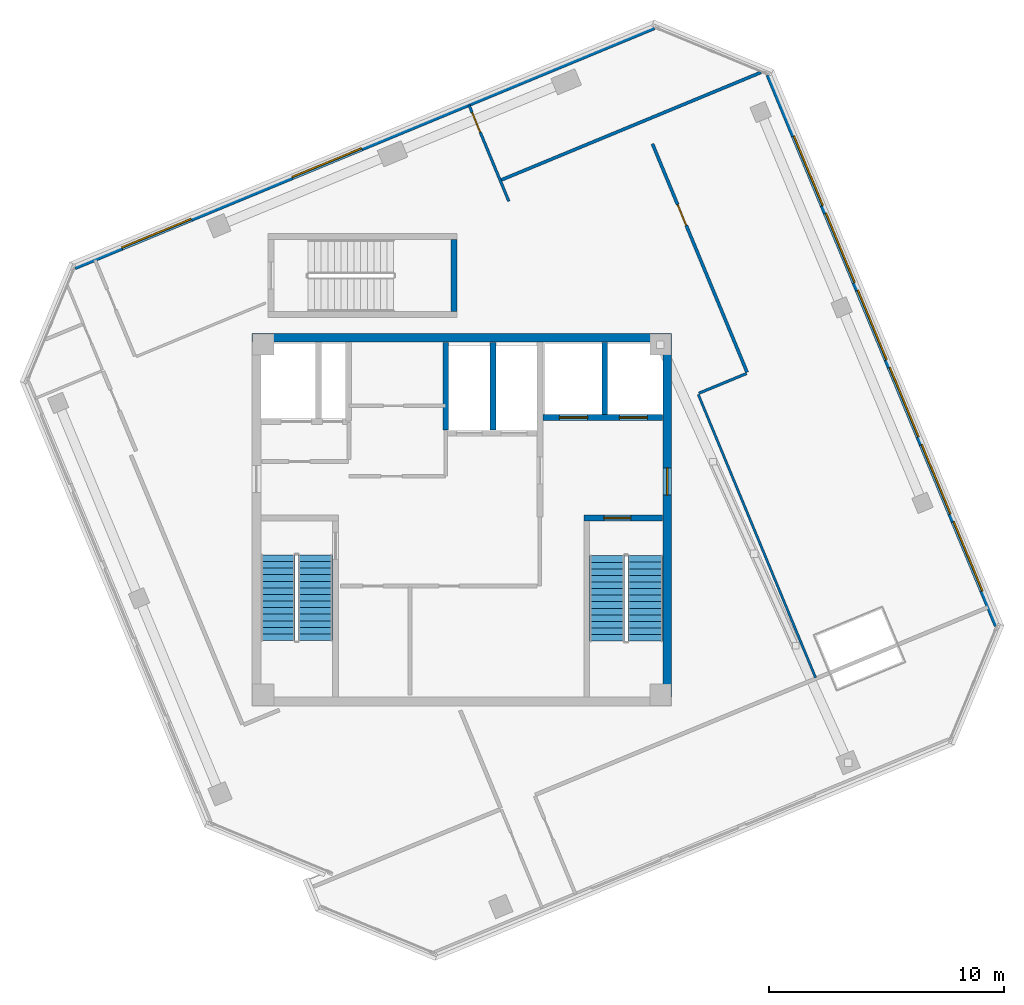
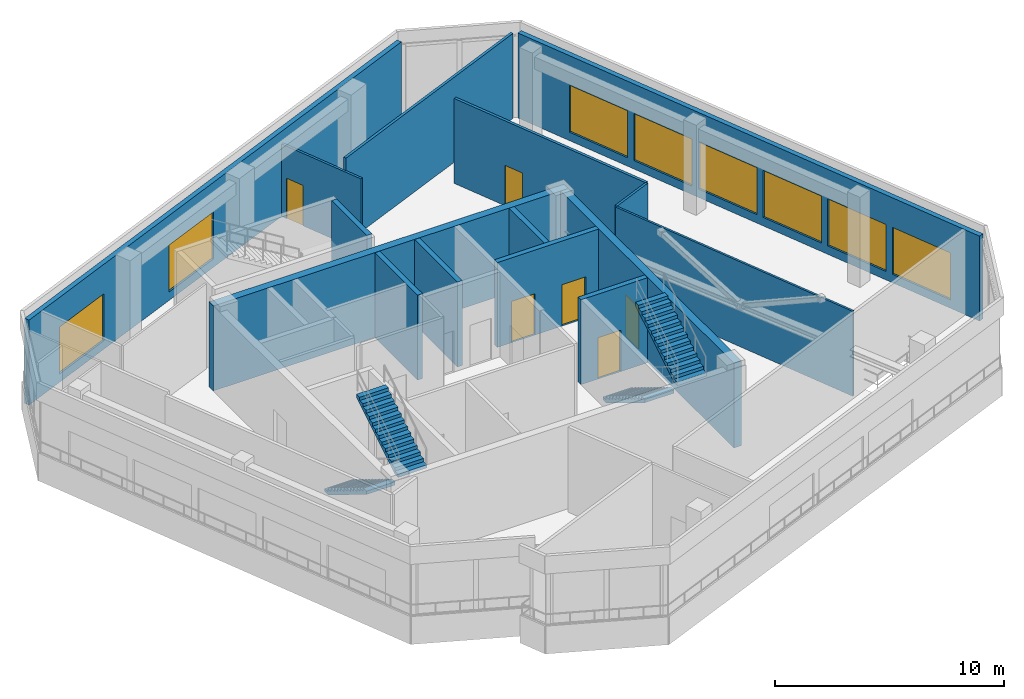
# One storey, part 10 of 17: 15 walls, 8 windows, 6 doors, 4 stair flights, 14 openings, 2 elements without a shape of their own.
"""IFC4 building model written with IfcOpenShell, lengths in metres."""

from ifc_helpers import new_model, si_unit, direction, frame, frame_2d, origin, place, context, subcontext, project, spatial, polyline, rectangle, outline, extrude, source, transform, mapped, material, layer, layer_set, type_object, element, fill, aggregate, save


model = new_model("IFC4")

# Units and contexts
model_context = context("Model", 3, precision=1e-05, world=origin(), true_north=direction((0.0, 1.0)))
body_context = subcontext(model_context, "Body", "Model", "MODEL_VIEW")
ifc_project = project(units=[si_unit("LENGTHUNIT", "METRE"), si_unit("AREAUNIT", "SQUARE_METRE"), si_unit("VOLUMEUNIT", "CUBIC_METRE"), si_unit("PLANEANGLEUNIT", "RADIAN"), si_unit("MASSUNIT", "GRAM", prefix="KILO")], contexts=[model_context])

# Site, building, storey
site_placement = place(None, origin())
site = spatial("IfcSite", under=ifc_project, at=site_placement, CompositionType="ELEMENT")
building_placement = place(site_placement, origin())
building = spatial("IfcBuilding", under=site, at=building_placement, Name="Torre Montelarca", CompositionType="ELEMENT")
storey_placement = place(building_placement, frame((0.0, 0.0, 355.199951171875)))
storey = spatial("IfcBuildingStorey", under=building, at=storey_placement, Name="L80", CompositionType="ELEMENT", Elevation=355.199951171875)

# Wall, opening, door
ifc_material_1 = material(Name="Concrete C40/50", Category="concrete")
ifc_layer_1 = layer(ifc_material_1, 0.25, Name="Concrete C40/50", Category="concrete")
ifc_layer_set_1 = layer_set([ifc_layer_1], Name="Concrete C40/50")
wall_type_1 = type_object("IfcWallType", Name="CW-SHAFT-250", PredefinedType="SHEAR", material=ifc_layer_set_1)
wall_1_placement = place(storey_placement, frame((23.18994140625, 32.074951171875, 0.0), z_axis=(0.0, 0.0, 1.0), x_axis=(1.0, 0.0, 0.0)))
wall_1 = element("IfcWall", 1, at=wall_1_placement, inside=storey, type_object=wall_type_1, Name="L80 Core Shear Wall SH-ST2-N", PredefinedType="SHEAR", context=body_context, shape_type="SweptSolid", body=[
    extrude(rectangle(XDim=3.35009765625, YDim=0.25, at=frame_2d((1.675048828125, 0.0))), origin(), (0.0, 0.0, 1.0), 4.52001953125),
])
opening_1_placement = place(wall_1_placement, frame((0.85009765625, 0.0, 0.0)))
opening_1 = element("IfcOpeningElement", 2, at=opening_1_placement, cuts=wall_1, Name="Opening FD-ST1", PredefinedType="OPENING", context=body_context, shape_type="SweptSolid", body=[
    extrude(rectangle(XDim=1.14990234375, YDim=2.199951171875, at=frame_2d((0.574951171875, 1.10009765625))), frame((0.0, 0.135009765625, 0.0), z_axis=(0.0, -1.0, 0.0), x_axis=(1.0, 0.0, 0.0)), (0.0, 0.0, 1.0), 0.27001953125),
])
ifc_material_2 = material(Name="Galvanized steel fire door", Category="steel")
door_type_1 = type_object("IfcDoorType", Name="DR-STAIR-115", OperationType="NOTDEFINED", PredefinedType="DOOR", material=ifc_material_2)
shared_shape_1 = source(origin(), body_context, "Body", "SweptSolid", [
    extrude(rectangle(XDim=1.14990234375, YDim=2.199951171875, at=frame_2d((0.574951171875, 1.10009765625))), frame((0.0, 0.02490234375, 0.0), z_axis=(0.0, -1.0, 0.0), x_axis=(1.0, 0.0, 0.0)), (0.0, 0.0, 1.0), 0.050048828125),
])
door_1_placement = place(opening_1_placement, origin())
door_1 = element("IfcDoor", 3, at=door_1_placement, inside=storey, type_object=door_type_1, Name="L80 Exit Stair ST2 Fire Door", OperationType="SINGLE_SWING_RIGHT", OverallHeight=2.199951171875, OverallWidth=1.14990234375, PredefinedType="DOOR", context=body_context, shape_type="MappedRepresentation", body=[
    mapped(shared_shape_1, transform((0.0, 0.0, 0.0), scale=1.0)),
])
fill(opening_1, door_1)

# Wall, openings, doors
wall_2_placement = place(storey_placement, frame((21.449951171875, 36.35009765625, 0.0), z_axis=(0.0, 0.0, 1.0), x_axis=(1.0, 0.0, 0.0)))
wall_2 = element("IfcWall", 4, at=wall_2_placement, inside=storey, type_object=wall_type_1, Name="L80 Core Shear Wall SH-FF-S", PredefinedType="SHEAR", context=body_context, shape_type="SweptSolid", body=[
    extrude(rectangle(XDim=5.090087890625, YDim=0.25, at=frame_2d((2.544921875, 0.0))), origin(), (0.0, 0.0, 1.0), 4.52001953125),
])
opening_2_placement = place(wall_2_placement, frame((0.699951171875, 0.0, 0.0)))
opening_2 = element("IfcOpeningElement", 5, at=opening_2_placement, cuts=wall_2, Name="Opening LD-120", PredefinedType="OPENING", context=body_context, shape_type="SweptSolid", body=[
    extrude(rectangle(XDim=1.199951171875, YDim=2.199951171875, at=frame_2d((0.60009765625, 1.10009765625))), frame((0.0, 0.135009765625, 0.0), z_axis=(0.0, -1.0, 0.0), x_axis=(1.0, 0.0, 0.0)), (0.0, 0.0, 1.0), 0.27001953125),
])
opening_3_placement = place(wall_2_placement, frame((3.25, 0.0, 0.0)))
opening_3 = element("IfcOpeningElement", 6, at=opening_3_placement, cuts=wall_2, Name="Opening LD-120", PredefinedType="OPENING", context=body_context, shape_type="SweptSolid", body=[
    extrude(rectangle(XDim=1.199951171875, YDim=2.199951171875, at=frame_2d((0.60009765625, 1.10009765625))), frame((0.0, 0.135009765625, 0.0), z_axis=(0.0, -1.0, 0.0), x_axis=(1.0, 0.0, 0.0)), (0.0, 0.0, 1.0), 0.27001953125),
])
ifc_material_3 = material(Name="Brushed stainless steel AISI 316", Category="steel")
door_type_2 = type_object("IfcDoorType", Name="DR-LIFT-120", OperationType="SLIDING_TO_RIGHT", PredefinedType="DOOR", material=ifc_material_3)
shared_shape_2 = source(origin(), body_context, "Body", "SweptSolid", [
    extrude(rectangle(XDim=1.199951171875, YDim=2.199951171875, at=frame_2d((0.60009765625, 1.10009765625))), frame((0.0, 0.02490234375, 0.0), z_axis=(0.0, -1.0, 0.0), x_axis=(1.0, 0.0, 0.0)), (0.0, 0.0, 1.0), 0.050048828125),
])
door_2_placement = place(opening_2_placement, origin())
door_2 = element("IfcDoor", 7, at=door_2_placement, inside=storey, type_object=door_type_2, Name="L80 Lift Landing Sliding Door FF-1", OperationType="SLIDING_TO_LEFT", OverallHeight=2.199951171875, OverallWidth=1.199951171875, PredefinedType="DOOR", context=body_context, shape_type="MappedRepresentation", body=[
    mapped(shared_shape_2, transform((0.0, 0.0, 0.0), scale=1.0)),
])
fill(opening_2, door_2)
door_3_placement = place(opening_3_placement, origin())
door_3 = element("IfcDoor", 8, at=door_3_placement, inside=storey, type_object=door_type_2, Name="L80 Lift Landing Sliding Door FF-2", OperationType="SLIDING_TO_RIGHT", OverallHeight=2.199951171875, OverallWidth=1.199951171875, PredefinedType="DOOR", context=body_context, shape_type="MappedRepresentation", body=[
    mapped(shared_shape_2, transform((0.0, 0.0, 0.0), scale=1.0)),
])
fill(opening_3, door_3)

# Walls
wall_3_placement = place(storey_placement, frame((24.080078125, 36.47998046875, 0.0), z_axis=(0.0, 0.0, 1.0), x_axis=(0.0, 1.0, 0.0)))
element("IfcWall", 9, at=wall_3_placement, inside=storey, type_object=wall_type_1, Name="L80 Core Shear Wall SH-FF-M", PredefinedType="SHEAR", context=body_context, shape_type="SweptSolid", body=[
    extrude(rectangle(XDim=3.06005859375, YDim=0.25, at=frame_2d((1.530029296875, 0.0))), origin(), (0.0, 0.0, 1.0), 4.52001953125),
])
for number, where, z_axis, x_axis, name in (
    (10, (17.320068359375, 35.81005859375, 0.0), (0.0, 0.0, 1.0), (0.0, 1.0, 0.0), "L80 Core Shear Wall SH-PLH-W"),
    (11, (19.320068359375, 35.81005859375, 0.0), (0.0, 0.0, 1.0), (0.0, 1.0, 0.0), "L80 Core Shear Wall SH-PLH-M"),
):
    element("IfcWall", number, at=place(storey_placement, frame(where, z_axis=z_axis, x_axis=x_axis)), inside=storey, type_object=wall_type_1, Name=name, PredefinedType="SHEAR", context=body_context, shape_type="SweptSolid", body=[
        extrude(rectangle(XDim=3.72998046875, YDim=0.25, at=frame_2d((1.864990234375, 0.0))), origin(), (0.0, 0.0, 1.0), 4.52001953125),
    ])
wall_4_placement = place(storey_placement, frame((17.675048828125, 40.85009765625, 0.0), z_axis=(0.0, 0.0, 1.0), x_axis=(0.0, 1.0, 0.0)))
element("IfcWall", 12, at=wall_4_placement, inside=storey, type_object=wall_type_1, Name="L80 Core Shear Wall SH-ST5-E", PredefinedType="SHEAR", context=body_context, shape_type="SweptSolid", body=[
    extrude(rectangle(XDim=3.06982421875, YDim=0.25, at=frame_2d((1.534912109375, 0.0))), origin(), (0.0, 0.0, 1.0), 4.52001953125),
])

# Wall, opening, door
ifc_layer_2 = layer(ifc_material_1, 0.3798828125, Name="Concrete C40/50", Category="concrete")
ifc_layer_set_2 = layer_set([ifc_layer_2], Name="Concrete C40/50")
wall_type_2 = type_object("IfcWallType", Name="CW-SHEAR-380", PredefinedType="SHEAR", material=ifc_layer_set_2)
wall_5_placement = place(storey_placement, frame((26.739990234375, 24.449951171875, 0.0), z_axis=(0.0, 0.0, 1.0), x_axis=(0.0, 1.0, 0.0)))
wall_5 = element("IfcWall", 13, at=wall_5_placement, inside=storey, type_object=wall_type_2, Name="L80 Core Shear Wall CW-E", PredefinedType="SHEAR", context=body_context, shape_type="SweptSolid", body=[
    extrude(rectangle(XDim=15.10009765625, YDim=0.3798828125, at=frame_2d((7.550048828125, 0.0))), origin(), (0.0, 0.0, 1.0), 4.52001953125),
])
opening_4_placement = place(wall_5_placement, frame((8.60009765625, 0.0, 0.0)))
opening_4 = element("IfcOpeningElement", 14, at=opening_4_placement, cuts=wall_5, Name="Opening FD-LB1", PredefinedType="OPENING", context=body_context, shape_type="SweptSolid", body=[
    extrude(rectangle(XDim=1.14990234375, YDim=2.199951171875, at=frame_2d((0.574951171875, 1.10009765625))), frame((0.0, 0.199951171875, 0.0), z_axis=(0.0, -1.0, 0.0), x_axis=(1.0, 0.0, 0.0)), (0.0, 0.0, 1.0), 0.39990234375),
])
ifc_material_4 = material(Name="Acoustic timber-veneered fire door", Category="wood")
door_type_3 = type_object("IfcDoorType", Name="DR-LOBBY-115", OperationType="NOTDEFINED", PredefinedType="DOOR", material=ifc_material_4)
shared_shape_3 = source(origin(), body_context, "Body", "SweptSolid", [
    extrude(rectangle(XDim=1.14990234375, YDim=2.199951171875, at=frame_2d((0.574951171875, 1.10009765625))), frame((0.0, 0.02490234375, 0.0), z_axis=(0.0, -1.0, 0.0), x_axis=(1.0, 0.0, 0.0)), (0.0, 0.0, 1.0), 0.050048828125),
])
door_4_placement = place(opening_4_placement, origin())
door_4 = element("IfcDoor", 15, at=door_4_placement, inside=storey, type_object=door_type_3, Name="L80 Firefighting Lift Lobby Corridor Fire Door", OperationType="SINGLE_SWING_RIGHT", OverallHeight=2.199951171875, OverallWidth=1.14990234375, PredefinedType="DOOR", context=body_context, shape_type="MappedRepresentation", body=[
    mapped(shared_shape_3, transform((0.0, 0.0, 0.0), scale=1.0)),
])
fill(opening_4, door_4)

# Wall
wall_6_placement = place(storey_placement, frame((9.070068359375, 39.739990234375, 0.0), z_axis=(0.0, 0.0, 1.0), x_axis=(1.0, 0.0, 0.0)))
element("IfcWall", 16, at=wall_6_placement, inside=storey, type_object=wall_type_2, Name="L80 Core Shear Wall CW-N1", PredefinedType="SHEAR", context=body_context, shape_type="SweptSolid", body=[
    extrude(rectangle(XDim=17.85986328125, YDim=0.3798828125, at=frame_2d((8.929931640625, 0.0))), origin(), (0.0, 0.0, 1.0), 4.52001953125),
])

# Wall, openings, windows
ifc_material_5 = material(Name="Architectural perforated terracotta ceramic", Category="masonry")
ifc_layer_3 = layer(ifc_material_5, 0.239990234375, Name="Architectural perforated terracotta ceramic", Category="masonry")
ifc_layer_set_3 = layer_set([ifc_layer_3], Name="Architectural perforated terracotta ceramic")
wall_type_3 = type_object("IfcWallType", Name="EW-CROWN-240", PredefinedType="SOLIDWALL", material=ifc_layer_set_3)
wall_7_placement = place(storey_placement, frame((40.7607421875, 27.49365234375, 0.0), z_axis=(0.0, 0.0, 1.0), x_axis=(-0.382690925775, 0.923876428604, 0.0)))
wall_7 = element("IfcWall", 17, at=wall_7_placement, inside=storey, type_object=wall_type_3, Name="L80 Illuminated Damper Gallery Lantern Wall E08", PredefinedType="SOLIDWALL", context=body_context, shape_type="SweptSolid", body=[
    extrude(rectangle(XDim=25.368408203125, YDim=0.239990234375, at=frame_2d((12.68408203125, 0.0))), origin(), (0.0, 0.0, 1.0), 4.52001953125),
])
opening_5_placement = place(wall_7_placement, frame((1.593994140625, 0.0, 0.449951171875)))
opening_5 = element("IfcOpeningElement", 18, at=opening_5_placement, cuts=wall_7, Name="Opening W-07", PredefinedType="OPENING", context=body_context, shape_type="SweptSolid", body=[
    extrude(rectangle(XDim=3.199951171875, YDim=2.5, at=frame_2d((1.60009765625, 1.25))), frame((0.0, 0.1298828125, 0.0), z_axis=(0.0, -1.0, 0.0), x_axis=(1.0, 0.0, 0.0)), (0.0, 0.0, 1.0), 0.260009765625),
])
opening_6_placement = place(wall_7_placement, frame((5.14404296875, 0.0, 0.449951171875)))
opening_6 = element("IfcOpeningElement", 19, at=opening_6_placement, cuts=wall_7, Name="Opening W-07", PredefinedType="OPENING", context=body_context, shape_type="SweptSolid", body=[
    extrude(rectangle(XDim=3.199951171875, YDim=2.5, at=frame_2d((1.60009765625, 1.25))), frame((0.0, 0.1298828125, 0.0), z_axis=(0.0, -1.0, 0.0), x_axis=(1.0, 0.0, 0.0)), (0.0, 0.0, 1.0), 0.260009765625),
])
opening_7_placement = place(wall_7_placement, frame((8.694091796875, 0.0, 0.449951171875)))
opening_7 = element("IfcOpeningElement", 20, at=opening_7_placement, cuts=wall_7, Name="Opening W-07", PredefinedType="OPENING", context=body_context, shape_type="SweptSolid", body=[
    extrude(rectangle(XDim=3.199951171875, YDim=2.5, at=frame_2d((1.60009765625, 1.25))), frame((0.0, 0.1298828125, 0.0), z_axis=(0.0, -1.0, 0.0), x_axis=(1.0, 0.0, 0.0)), (0.0, 0.0, 1.0), 0.260009765625),
])
opening_8_placement = place(wall_7_placement, frame((12.243896484375, 0.0, 0.449951171875)))
opening_8 = element("IfcOpeningElement", 21, at=opening_8_placement, cuts=wall_7, Name="Opening W-07", PredefinedType="OPENING", context=body_context, shape_type="SweptSolid", body=[
    extrude(rectangle(XDim=3.199951171875, YDim=2.5, at=frame_2d((1.60009765625, 1.25))), frame((0.0, 0.1298828125, 0.0), z_axis=(0.0, -1.0, 0.0), x_axis=(1.0, 0.0, 0.0)), (0.0, 0.0, 1.0), 0.260009765625),
])
opening_9_placement = place(wall_7_placement, frame((15.7939453125, 0.0, 0.449951171875)))
opening_9 = element("IfcOpeningElement", 22, at=opening_9_placement, cuts=wall_7, Name="Opening W-07", PredefinedType="OPENING", context=body_context, shape_type="SweptSolid", body=[
    extrude(rectangle(XDim=3.199951171875, YDim=2.5, at=frame_2d((1.60009765625, 1.25))), frame((0.0, 0.1298828125, 0.0), z_axis=(0.0, -1.0, 0.0), x_axis=(1.0, 0.0, 0.0)), (0.0, 0.0, 1.0), 0.260009765625),
])
opening_10_placement = place(wall_7_placement, frame((19.343994140625, 0.0, 0.449951171875)))
opening_10 = element("IfcOpeningElement", 23, at=opening_10_placement, cuts=wall_7, Name="Opening W-07", PredefinedType="OPENING", context=body_context, shape_type="SweptSolid", body=[
    extrude(rectangle(XDim=3.199951171875, YDim=2.5, at=frame_2d((1.60009765625, 1.25))), frame((0.0, 0.1298828125, 0.0), z_axis=(0.0, -1.0, 0.0), x_axis=(1.0, 0.0, 0.0)), (0.0, 0.0, 1.0), 0.260009765625),
])
ifc_material_6 = material(Name="Insulated low-E laminated glass in aluminium frame", Category="aluminium")
window_type = type_object("IfcWindowType", Name="WIN-W07", PartitioningType="TRIPLE_PANEL_VERTICAL", PredefinedType="WINDOW", material=ifc_material_6)
shared_shape_4 = source(origin(), body_context, "Body", "SweptSolid", [
    extrude(rectangle(XDim=3.199951171875, YDim=2.5, at=frame_2d((1.60009765625, 1.25))), frame((0.0, 0.030029296875, 0.0), z_axis=(0.0, -1.0, 0.0), x_axis=(1.0, 0.0, 0.0)), (0.0, 0.0, 1.0), 0.06005859375),
])
window_1_placement = place(opening_5_placement, origin())
window_1 = element("IfcWindow", 24, at=window_1_placement, inside=storey, type_object=window_type, Name="L80 Glowing Damper Lantern Ribbon Window E08-1", OverallHeight=2.5, OverallWidth=3.199951171875, PartitioningType="TRIPLE_PANEL_VERTICAL", PredefinedType="WINDOW", context=body_context, shape_type="MappedRepresentation", body=[
    mapped(shared_shape_4, transform((0.0, 0.0, 0.0), scale=1.0)),
])
fill(opening_5, window_1)
window_2_placement = place(opening_6_placement, origin())
window_2 = element("IfcWindow", 25, at=window_2_placement, inside=storey, type_object=window_type, Name="L80 Glowing Damper Lantern Ribbon Window E08-2", OverallHeight=2.5, OverallWidth=3.199951171875, PartitioningType="TRIPLE_PANEL_VERTICAL", PredefinedType="WINDOW", context=body_context, shape_type="MappedRepresentation", body=[
    mapped(shared_shape_4, transform((0.0, 0.0, 0.0), scale=1.0)),
])
fill(opening_6, window_2)
window_3_placement = place(opening_7_placement, origin())
window_3 = element("IfcWindow", 26, at=window_3_placement, inside=storey, type_object=window_type, Name="L80 Glowing Damper Lantern Ribbon Window E08-3", OverallHeight=2.5, OverallWidth=3.199951171875, PartitioningType="TRIPLE_PANEL_VERTICAL", PredefinedType="WINDOW", context=body_context, shape_type="MappedRepresentation", body=[
    mapped(shared_shape_4, transform((0.0, 0.0, 0.0), scale=1.0)),
])
fill(opening_7, window_3)
window_4_placement = place(opening_8_placement, origin())
window_4 = element("IfcWindow", 27, at=window_4_placement, inside=storey, type_object=window_type, Name="L80 Glowing Damper Lantern Ribbon Window E08-4", OverallHeight=2.5, OverallWidth=3.199951171875, PartitioningType="TRIPLE_PANEL_VERTICAL", PredefinedType="WINDOW", context=body_context, shape_type="MappedRepresentation", body=[
    mapped(shared_shape_4, transform((0.0, 0.0, 0.0), scale=1.0)),
])
fill(opening_8, window_4)
window_5_placement = place(opening_9_placement, origin())
window_5 = element("IfcWindow", 28, at=window_5_placement, inside=storey, type_object=window_type, Name="L80 Glowing Damper Lantern Ribbon Window E08-5", OverallHeight=2.5, OverallWidth=3.199951171875, PartitioningType="TRIPLE_PANEL_VERTICAL", PredefinedType="WINDOW", context=body_context, shape_type="MappedRepresentation", body=[
    mapped(shared_shape_4, transform((0.0, 0.0, 0.0), scale=1.0)),
])
fill(opening_9, window_5)
window_6_placement = place(opening_10_placement, origin())
window_6 = element("IfcWindow", 29, at=window_6_placement, inside=storey, type_object=window_type, Name="L80 Glowing Damper Lantern Ribbon Window E08-6", OverallHeight=2.5, OverallWidth=3.199951171875, PartitioningType="TRIPLE_PANEL_VERTICAL", PredefinedType="WINDOW", context=body_context, shape_type="MappedRepresentation", body=[
    mapped(shared_shape_4, transform((0.0, 0.0, 0.0), scale=1.0)),
])
fill(opening_10, window_6)

wall_8_placement = place(storey_placement, frame((26.17138671875, 52.95263671875, 0.0), z_axis=(0.0, 0.0, 1.0), x_axis=(-0.923878251708, -0.382686524484, 0.0)))
wall_8 = element("IfcWall", 30, at=wall_8_placement, inside=storey, type_object=wall_type_3, Name="L80 Illuminated Damper Gallery Lantern Wall E10", PredefinedType="SOLIDWALL", context=body_context, shape_type="SweptSolid", body=[
    extrude(rectangle(XDim=26.668212890625, YDim=0.239990234375, at=frame_2d((13.333984375, 0.0))), origin(), (0.0, 0.0, 1.0), 4.52001953125),
])
opening_11_placement = place(wall_8_placement, frame((13.4541015625, 0.0, 0.449951171875)))
opening_11 = element("IfcOpeningElement", 31, at=opening_11_placement, cuts=wall_8, Name="Opening W-07", PredefinedType="OPENING", context=body_context, shape_type="SweptSolid", body=[
    extrude(rectangle(XDim=3.199951171875, YDim=2.5, at=frame_2d((1.60009765625, 1.25))), frame((0.0, 0.1298828125, 0.0), z_axis=(0.0, -1.0, 0.0), x_axis=(1.0, 0.0, 0.0)), (0.0, 0.0, 1.0), 0.260009765625),
])
opening_12_placement = place(wall_8_placement, frame((21.303955078125, 0.0, 0.449951171875)))
opening_12 = element("IfcOpeningElement", 32, at=opening_12_placement, cuts=wall_8, Name="Opening W-07", PredefinedType="OPENING", context=body_context, shape_type="SweptSolid", body=[
    extrude(rectangle(XDim=3.199951171875, YDim=2.5, at=frame_2d((1.60009765625, 1.25))), frame((0.0, 0.1298828125, 0.0), z_axis=(0.0, -1.0, 0.0), x_axis=(1.0, 0.0, 0.0)), (0.0, 0.0, 1.0), 0.260009765625),
])
window_7_placement = place(opening_11_placement, origin())
window_7 = element("IfcWindow", 33, at=window_7_placement, inside=storey, type_object=window_type, Name="L80 Glowing Damper Lantern Ribbon Window E10-1", OverallHeight=2.5, OverallWidth=3.199951171875, PartitioningType="TRIPLE_PANEL_VERTICAL", PredefinedType="WINDOW", context=body_context, shape_type="MappedRepresentation", body=[
    mapped(shared_shape_4, transform((0.0, 0.0, 0.0), scale=1.0)),
])
fill(opening_11, window_7)
window_8_placement = place(opening_12_placement, origin())
window_8 = element("IfcWindow", 34, at=window_8_placement, inside=storey, type_object=window_type, Name="L80 Glowing Damper Lantern Ribbon Window E10-2", OverallHeight=2.5, OverallWidth=3.199951171875, PartitioningType="TRIPLE_PANEL_VERTICAL", PredefinedType="WINDOW", context=body_context, shape_type="MappedRepresentation", body=[
    mapped(shared_shape_4, transform((0.0, 0.0, 0.0), scale=1.0)),
])
fill(opening_12, window_8)

# Walls
ifc_material_7 = material(Name="Acoustic laminated glass partition", Category="glass")
ifc_layer_4 = layer(ifc_material_7, 0.10009765625, Name="Acoustic laminated glass partition", Category="glass")
ifc_layer_set_4 = layer_set([ifc_layer_4], Name="Acoustic laminated glass partition")
wall_type_4 = type_object("IfcWallType", Name="PW-GLAZ-100", PredefinedType="PARTITIONING", material=ifc_layer_set_4)
wall_9_placement = place(storey_placement, frame((28.06103515625, 37.326171875, 0.0), z_axis=(0.0, 0.0, 1.0), x_axis=(0.382702889353, -0.923871472923, 0.0)))
element("IfcWall", 35, at=wall_9_placement, inside=storey, type_object=wall_type_4, Name="L80 Interior Partition W-L80-NBOT3", PredefinedType="PARTITIONING", context=body_context, shape_type="SweptSolid", body=[
    extrude(rectangle(XDim=13.0400390625, YDim=0.10009765625, at=frame_2d((6.52001953125, 0.0))), origin(), (0.0, 0.0, 1.0), 4.52001953125),
])
ifc_material_8 = material(Name="Gypsum plasterboard on steel stud", Category="steel")
ifc_layer_5 = layer(ifc_material_8, 0.114990234375, Name="Gypsum plasterboard on steel stud", Category="steel")
ifc_layer_set_5 = layer_set([ifc_layer_5], Name="Gypsum plasterboard on steel stud")
wall_type_5 = type_object("IfcWallType", Name="PW-PART-115", PredefinedType="PARTITIONING", material=ifc_layer_set_5)
wall_10_placement = place(storey_placement, frame((28.082763671875, 37.37841796875, 0.0), z_axis=(0.0, 0.0, 1.0), x_axis=(0.923853160736, 0.382747093259, 0.0)))
element("IfcWall", 36, at=wall_10_placement, inside=storey, type_object=wall_type_5, Name="L80 Interior Partition W-L80-NWW3", PredefinedType="PARTITIONING", context=body_context, shape_type="SweptSolid", body=[
    extrude(rectangle(XDim=2.199951171875, YDim=0.114990234375, at=frame_2d((1.10009765625, 0.0))), origin(), (0.0, 0.0, 1.0), 4.52001953125),
])

# Wall, opening, door
wall_11_placement = place(storey_placement, frame((18.30615234375, 49.640380859375, 0.0), z_axis=(0.0, 0.0, 1.0), x_axis=(0.382708743564, -0.923869047863, 0.0)))
wall_11 = element("IfcWall", 37, at=wall_11_placement, inside=storey, type_object=wall_type_5, Name="L80 Interior Partition W-L80-WPKN", PredefinedType="PARTITIONING", context=body_context, shape_type="SweptSolid", body=[
    extrude(rectangle(XDim=4.4296875, YDim=0.114990234375, at=frame_2d((2.21484375, 0.0))), origin(), (0.0, 0.0, 1.0), 3.85498046875),
])
opening_13_placement = place(wall_11_placement, frame((0.35009765625, 0.0, 0.0)))
opening_13 = element("IfcOpeningElement", 38, at=opening_13_placement, cuts=wall_11, Name="Opening ID-090", PredefinedType="OPENING", context=body_context, shape_type="SweptSolid", body=[
    extrude(rectangle(XDim=0.89990234375, YDim=2.14990234375, at=frame_2d((0.449951171875, 1.074951171875))), frame((0.0, 0.0673828125, 0.0), z_axis=(0.0, -1.0, 0.0), x_axis=(1.0, 0.0, 0.0)), (0.0, 0.0, 1.0), 0.135009765625),
])
ifc_material_9 = material(Name="Hardwood acoustic timber veneer", Category="wood")
door_type_4 = type_object("IfcDoorType", Name="DR-INT-090", OperationType="NOTDEFINED", PredefinedType="DOOR", material=ifc_material_9)
shared_shape_5 = source(origin(), body_context, "Body", "SweptSolid", [
    extrude(rectangle(XDim=0.89990234375, YDim=2.14990234375, at=frame_2d((0.449951171875, 1.074951171875))), frame((0.0, 0.02490234375, 0.0), z_axis=(0.0, -1.0, 0.0), x_axis=(1.0, 0.0, 0.0)), (0.0, 0.0, 1.0), 0.050048828125),
])
door_5_placement = place(opening_13_placement, origin())
door_5 = element("IfcDoor", 39, at=door_5_placement, inside=storey, type_object=door_type_4, Name="L80 Interior Door 11", OperationType="SINGLE_SWING_RIGHT", OverallHeight=2.14990234375, OverallWidth=0.89990234375, PredefinedType="DOOR", context=body_context, shape_type="MappedRepresentation", body=[
    mapped(shared_shape_5, transform((0.0, 0.0, 0.0), scale=1.0)),
])
fill(opening_13, door_5)

ifc_layer_6 = layer(ifc_material_8, 0.135009765625, Name="Gypsum plasterboard on steel stud", Category="steel")
ifc_layer_set_6 = layer_set([ifc_layer_6], Name="Gypsum plasterboard on steel stud")
wall_type_6 = type_object("IfcWallType", Name="PW-PART-135", PredefinedType="PARTITIONING", material=ifc_layer_set_6)
wall_12_placement = place(storey_placement, frame((26.111083984375, 47.991943359375, 0.0), z_axis=(0.0, 0.0, 1.0), x_axis=(0.382686563741, -0.923878235447, 0.0)))
wall_12 = element("IfcWall", 40, at=wall_12_placement, inside=storey, type_object=wall_type_6, Name="L80 Interior Partition W-L80-NBOT", PredefinedType="PARTITIONING", context=body_context, shape_type="SweptSolid", body=[
    extrude(rectangle(XDim=10.52001953125, YDim=0.135009765625, at=frame_2d((5.260009765625, 0.0))), origin(), (0.0, 0.0, 1.0), 4.52001953125),
])
opening_14_placement = place(wall_12_placement, frame((2.800048828125, 0.0, 0.0)))
opening_14 = element("IfcOpeningElement", 41, at=opening_14_placement, cuts=wall_12, Name="Opening ID-095", PredefinedType="OPENING", context=body_context, shape_type="SweptSolid", body=[
    extrude(rectangle(XDim=0.949951171875, YDim=2.14990234375, at=frame_2d((0.47509765625, 1.074951171875))), frame((0.0, 0.07763671875, 0.0), z_axis=(0.0, -1.0, 0.0), x_axis=(1.0, 0.0, 0.0)), (0.0, 0.0, 1.0), 0.155029296875),
])
door_type_5 = type_object("IfcDoorType", Name="DR-INT-095", OperationType="NOTDEFINED", PredefinedType="DOOR", material=ifc_material_9)
shared_shape_6 = source(origin(), body_context, "Body", "SweptSolid", [
    extrude(rectangle(XDim=0.949951171875, YDim=2.14990234375, at=frame_2d((0.47509765625, 1.074951171875))), frame((0.0, 0.02490234375, 0.0), z_axis=(0.0, -1.0, 0.0), x_axis=(1.0, 0.0, 0.0)), (0.0, 0.0, 1.0), 0.050048828125),
])
door_6_placement = place(opening_14_placement, origin())
door_6 = element("IfcDoor", 42, at=door_6_placement, inside=storey, type_object=door_type_5, Name="L80 Interior Door 09", OperationType="SINGLE_SWING_LEFT", OverallHeight=2.14990234375, OverallWidth=0.949951171875, PredefinedType="DOOR", context=body_context, shape_type="MappedRepresentation", body=[
    mapped(shared_shape_6, transform((0.0, 0.0, 0.0), scale=1.0)),
])
fill(opening_14, door_6)

# Wall
wall_13_placement = place(storey_placement, frame((19.6708984375, 46.449951171875, 0.0), z_axis=(0.0, 0.0, 1.0), x_axis=(0.923879139167, 0.38268438198, 0.0)))
element("IfcWall", 43, at=wall_13_placement, inside=storey, type_object=wall_type_6, Name="L80 Interior Partition W-L80-WPKE2", PredefinedType="PARTITIONING", context=body_context, shape_type="SweptSolid", body=[
    extrude(rectangle(XDim=11.97216796875, YDim=0.135009765625, at=frame_2d((5.986083984375, 0.0))), origin(), (0.0, 0.0, 1.0), 4.52001953125),
])

# Stair, stair flights
stair_type_1 = type_object("IfcStairType", Name="ST-CORE-ST1", PredefinedType="HALF_TURN_STAIR", material=ifc_material_1)
stair_1_placement = place(storey_placement, origin())
stair_1 = element("IfcStair", 44, at=stair_1_placement, inside=storey, type_object=stair_type_1, Name="L80 Protected Exit Stair ST1", PredefinedType="HALF_TURN_STAIR")
stair_flight_type_1 = type_object("IfcStairFlightType", Name="SFL-CORE-ST1", PredefinedType="STRAIGHT", material=ifc_material_1)
stair_flight_1_placement = place(storey_placement, frame((10.175048828125, 30.5, 0.0), z_axis=(0.0, 0.0, 1.0), x_axis=(0.0, -1.0, 0.0)))
stair_flight_1 = element("IfcStairFlight", 45, at=stair_flight_1_placement, type_object=stair_flight_type_1, Name="ST1 flight 1", NumberOfRisers=14, NumberOfTreads=13, PredefinedType="STRAIGHT", RiserHeight=0.171428571, TreadLength=0.28, context=body_context, shape_type="SweptSolid", body=[
    extrude(outline(polyline([(0.0, 0.0), (0.0, 0.17138671875), (0.280029296875, 0.17138671875), (0.280029296875, 0.3427734375), (0.56005859375, 0.3427734375), (0.56005859375, 0.514404296875), (0.840087890625, 0.514404296875), (0.840087890625, 0.685791015625), (1.1201171875, 0.685791015625), (1.1201171875, 0.857177734375), (1.39990234375, 0.857177734375), (1.39990234375, 1.028564453125), (1.679931640625, 1.028564453125), (1.679931640625, 1.199951171875), (1.9599609375, 1.199951171875), (1.9599609375, 1.371337890625), (2.239990234375, 1.371337890625), (2.239990234375, 1.54296875), (2.52001953125, 1.54296875), (2.52001953125, 1.71435546875), (2.800048828125, 1.71435546875), (2.800048828125, 1.8857421875), (3.080078125, 1.8857421875), (3.080078125, 2.05712890625), (3.360107421875, 2.05712890625), (3.360107421875, 2.228515625), (3.639892578125, 2.228515625), (3.639892578125, 2.39990234375), (3.639892578125, 2.052734375), (0.287109375, 0.0), (0.0, 0.0)])), frame((0.0, 0.72509765625, 0.0), z_axis=(0.0, -1.0, 0.0), x_axis=(1.0, 0.0, 0.0)), (0.0, 0.0, 1.0), 1.449951171875),
])
stair_flight_2_placement = place(storey_placement, frame((11.77490234375, 26.860107421875, 2.400146484375), z_axis=(0.0, 0.0, 1.0), x_axis=(0.0, 1.0, 0.0)))
stair_flight_2 = element("IfcStairFlight", 46, at=stair_flight_2_placement, type_object=stair_flight_type_1, Name="ST1 flight 2", NumberOfRisers=14, NumberOfTreads=13, PredefinedType="STRAIGHT", RiserHeight=0.171428571, TreadLength=0.28, context=body_context, shape_type="SweptSolid", body=[
    extrude(outline(polyline([(0.0, 0.0), (0.0, 0.17138671875), (0.280029296875, 0.17138671875), (0.280029296875, 0.3427734375), (0.56005859375, 0.3427734375), (0.56005859375, 0.514404296875), (0.840087890625, 0.514404296875), (0.840087890625, 0.685791015625), (1.1201171875, 0.685791015625), (1.1201171875, 0.857177734375), (1.39990234375, 0.857177734375), (1.39990234375, 1.028564453125), (1.679931640625, 1.028564453125), (1.679931640625, 1.199951171875), (1.9599609375, 1.199951171875), (1.9599609375, 1.371337890625), (2.239990234375, 1.371337890625), (2.239990234375, 1.54296875), (2.52001953125, 1.54296875), (2.52001953125, 1.71435546875), (2.800048828125, 1.71435546875), (2.800048828125, 1.8857421875), (3.080078125, 1.8857421875), (3.080078125, 2.05712890625), (3.360107421875, 2.05712890625), (3.360107421875, 2.228515625), (3.639892578125, 2.228515625), (3.639892578125, 2.39990234375), (3.639892578125, 2.052734375), (0.287109375, 0.0), (0.0, 0.0)])), frame((0.0, 0.72509765625, 0.0), z_axis=(0.0, -1.0, 0.0), x_axis=(1.0, 0.0, 0.0)), (0.0, 0.0, 1.0), 1.449951171875),
])
aggregate(stair_1, [stair_flight_1, stair_flight_2])

stair_type_2 = type_object("IfcStairType", Name="ST-CORE-ST2", PredefinedType="HALF_TURN_STAIR", material=ifc_material_1)
stair_2_placement = place(storey_placement, origin())
stair_2 = element("IfcStair", 47, at=stair_2_placement, inside=storey, type_object=stair_type_2, Name="L80 Protected Exit Stair ST2", PredefinedType="HALF_TURN_STAIR")
stair_flight_type_2 = type_object("IfcStairFlightType", Name="SFL-CORE-ST2", PredefinedType="STRAIGHT", material=ifc_material_1)
stair_flight_3_placement = place(storey_placement, frame((24.179931640625, 30.469970703125, 0.0), z_axis=(0.0, 0.0, 1.0), x_axis=(0.0, -1.0, 0.0)))
stair_flight_3 = element("IfcStairFlight", 48, at=stair_flight_3_placement, type_object=stair_flight_type_2, Name="ST2 flight 1", NumberOfRisers=14, NumberOfTreads=13, PredefinedType="STRAIGHT", RiserHeight=0.171428571, TreadLength=0.28, context=body_context, shape_type="SweptSolid", body=[
    extrude(outline(polyline([(0.0, 0.0), (0.0, 0.17138671875), (0.280029296875, 0.17138671875), (0.280029296875, 0.3427734375), (0.56005859375, 0.3427734375), (0.56005859375, 0.514404296875), (0.840087890625, 0.514404296875), (0.840087890625, 0.685791015625), (1.1201171875, 0.685791015625), (1.1201171875, 0.857177734375), (1.39990234375, 0.857177734375), (1.39990234375, 1.028564453125), (1.679931640625, 1.028564453125), (1.679931640625, 1.199951171875), (1.9599609375, 1.199951171875), (1.9599609375, 1.371337890625), (2.239990234375, 1.371337890625), (2.239990234375, 1.54296875), (2.52001953125, 1.54296875), (2.52001953125, 1.71435546875), (2.800048828125, 1.71435546875), (2.800048828125, 1.8857421875), (3.080078125, 1.8857421875), (3.080078125, 2.05712890625), (3.360107421875, 2.05712890625), (3.360107421875, 2.228515625), (3.639892578125, 2.228515625), (3.639892578125, 2.39990234375), (3.639892578125, 2.052734375), (0.287109375, 0.0), (0.0, 0.0)])), frame((0.0, 0.739990234375, 0.0), z_axis=(0.0, -1.0, 0.0), x_axis=(1.0, 0.0, 0.0)), (0.0, 0.0, 1.0), 1.47998046875),
])
stair_flight_4_placement = place(storey_placement, frame((25.81005859375, 26.830078125, 2.400146484375), z_axis=(0.0, 0.0, 1.0), x_axis=(0.0, 1.0, 0.0)))
stair_flight_4 = element("IfcStairFlight", 49, at=stair_flight_4_placement, type_object=stair_flight_type_2, Name="ST2 flight 2", NumberOfRisers=14, NumberOfTreads=13, PredefinedType="STRAIGHT", RiserHeight=0.171428571, TreadLength=0.28, context=body_context, shape_type="SweptSolid", body=[
    extrude(outline(polyline([(0.0, 0.0), (0.0, 0.17138671875), (0.280029296875, 0.17138671875), (0.280029296875, 0.3427734375), (0.56005859375, 0.3427734375), (0.56005859375, 0.514404296875), (0.840087890625, 0.514404296875), (0.840087890625, 0.685791015625), (1.1201171875, 0.685791015625), (1.1201171875, 0.857177734375), (1.39990234375, 0.857177734375), (1.39990234375, 1.028564453125), (1.679931640625, 1.028564453125), (1.679931640625, 1.199951171875), (1.9599609375, 1.199951171875), (1.9599609375, 1.371337890625), (2.239990234375, 1.371337890625), (2.239990234375, 1.54296875), (2.52001953125, 1.54296875), (2.52001953125, 1.71435546875), (2.800048828125, 1.71435546875), (2.800048828125, 1.8857421875), (3.080078125, 1.8857421875), (3.080078125, 2.05712890625), (3.360107421875, 2.05712890625), (3.360107421875, 2.228515625), (3.639892578125, 2.228515625), (3.639892578125, 2.39990234375), (3.639892578125, 2.052734375), (0.287109375, 0.0), (0.0, 0.0)])), frame((0.0, 0.739990234375, 0.0), z_axis=(0.0, -1.0, 0.0), x_axis=(1.0, 0.0, 0.0)), (0.0, 0.0, 1.0), 1.47998046875),
])
aggregate(stair_2, [stair_flight_3, stair_flight_4])

save(model, "model.ifc")
